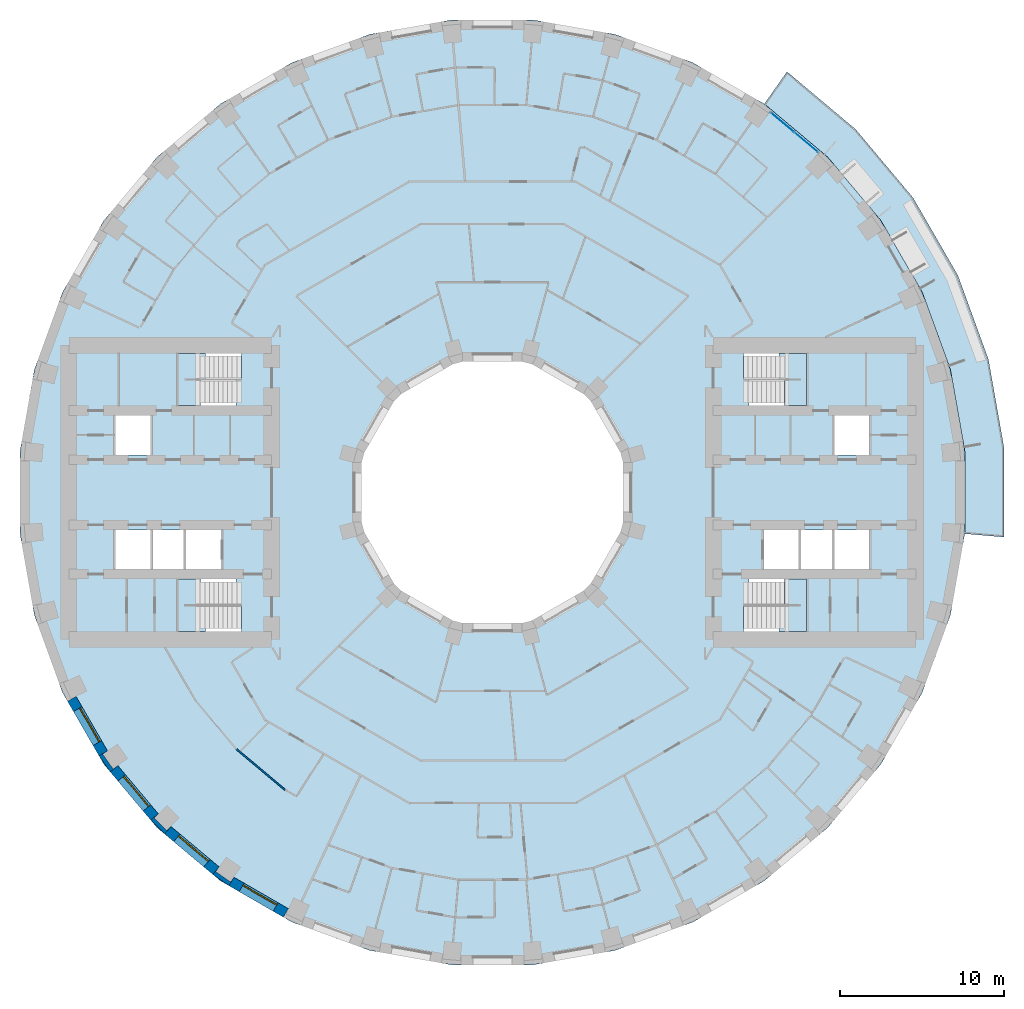
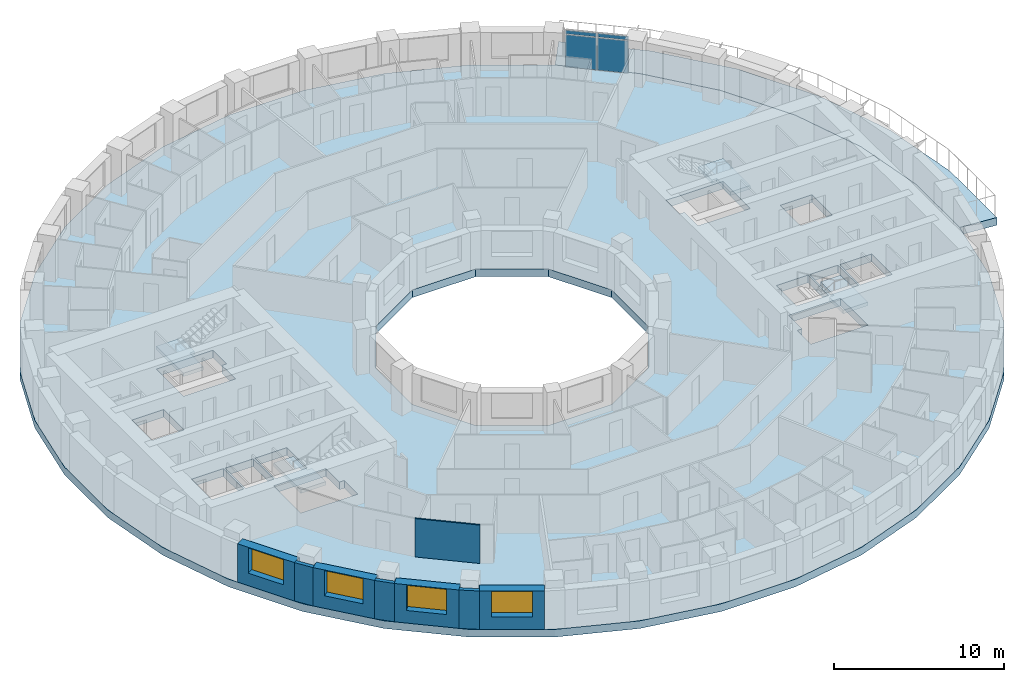
# One storey, part 3 of 15: 8 walls, 6 slabs, 4 plates, 4 windows, 4 openings, 5 elements without a shape of their own.
"""IFC4 building model written with IfcOpenShell, lengths in metres."""

from ifc_helpers import new_model, si_unit, direction, frame, frame_2d, origin, origin_2d, place, context, subcontext, project, spatial, polyline, rectangle, outline, extrude, material, layer, layer_set, type_object, element, fill, aggregate, save


model = new_model("IFC4")

# Units and contexts
model_context = context("Model", 3, precision=1e-05, world=origin(), true_north=direction((0.0, 1.0)))
body_context = subcontext(model_context, "Body", "Model", "MODEL_VIEW")
ifc_project = project(units=[si_unit("LENGTHUNIT", "METRE"), si_unit("AREAUNIT", "SQUARE_METRE"), si_unit("VOLUMEUNIT", "CUBIC_METRE"), si_unit("PLANEANGLEUNIT", "RADIAN"), si_unit("MASSUNIT", "GRAM", prefix="KILO")], contexts=[model_context])

# Site, building, storey
site_placement = place(None, origin())
site = spatial("IfcSite", under=ifc_project, at=site_placement, CompositionType="ELEMENT")
building_placement = place(site_placement, origin())
building = spatial("IfcBuilding", under=site, at=building_placement, Name="Saqina Gate Tower", CompositionType="ELEMENT")
storey_placement = place(building_placement, frame((0.0, 0.0, 59.300048828125)))
storey = spatial("IfcBuildingStorey", under=building, at=storey_placement, Name="L16", CompositionType="ELEMENT", Elevation=59.300048828125)

# Curtain wall, plates
ifc_material_1 = material(Name="Aluminium glazing", Category="aluminium")
ifc_layer_1 = layer(ifc_material_1, 0.159912109375)
ifc_layer_set_1 = layer_set([ifc_layer_1], Name="CWT-4")
curtain_wall_type = type_object("IfcCurtainWallType", Name="CWT-4", PredefinedType="NOTDEFINED", material=ifc_layer_set_1)
curtain_wall_placement = place(storey_placement, origin())
curtain_wall = element("IfcCurtainWall", 1, at=curtain_wall_placement, inside=storey, type_object=curtain_wall_type, Name="Terrace lounge glazing facet 5", PredefinedType="NOTDEFINED")
ifc_material_2 = material(Name="Glass", Category="glass")
ifc_layer_2 = layer(ifc_material_2, 0.028076171875)
ifc_layer_set_2 = layer_set([ifc_layer_2], Name="CWT-4P")
plate_type = type_object("IfcPlateType", Name="CWT-4P", PredefinedType="CURTAIN_PANEL", material=ifc_layer_set_2)
plate_1_placement = place(storey_placement, frame((19.198486328125, 21.407470703125, 0.059814453125), z_axis=(0.0, 0.0, 1.0), x_axis=(-0.766040784332, 0.642791970033, 0.0)))
plate_1 = element("IfcPlate", 2, at=plate_1_placement, type_object=plate_type, Name="CW4-05 panel 1.1", PredefinedType="CURTAIN_PANEL", context=body_context, shape_type="SweptSolid", body=[
    extrude(rectangle(XDim=1.8330078125, YDim=0.028076171875, at=origin_2d()), origin(), (0.0, 0.0, 1.0), 2.31005859375),
])
plate_2_placement = place(storey_placement, frame((19.198486328125, 21.407470703125, 2.43017578125), z_axis=(0.0, 0.0, 1.0), x_axis=(-0.766040784332, 0.642791970033, 0.0)))
plate_2 = element("IfcPlate", 3, at=plate_2_placement, type_object=plate_type, Name="CW4-05 panel 1.2", PredefinedType="CURTAIN_PANEL", context=body_context, shape_type="SweptSolid", body=[
    extrude(rectangle(XDim=1.8330078125, YDim=0.028076171875, at=origin_2d()), origin(), (0.0, 0.0, 1.0), 0.260009765625),
])
plate_3_placement = place(storey_placement, frame((17.74853515625, 22.624267578125, 0.059814453125), z_axis=(0.0, 0.0, 1.0), x_axis=(-0.766040784332, 0.642791970033, 0.0)))
plate_3 = element("IfcPlate", 4, at=plate_3_placement, type_object=plate_type, Name="CW4-05 panel 2.1", PredefinedType="CURTAIN_PANEL", context=body_context, shape_type="SweptSolid", body=[
    extrude(rectangle(XDim=1.8330078125, YDim=0.028076171875, at=origin_2d()), origin(), (0.0, 0.0, 1.0), 2.31005859375),
])
plate_4_placement = place(storey_placement, frame((17.74853515625, 22.624267578125, 2.43017578125), z_axis=(0.0, 0.0, 1.0), x_axis=(-0.766040784332, 0.642791970033, 0.0)))
plate_4 = element("IfcPlate", 5, at=plate_4_placement, type_object=plate_type, Name="CW4-05 panel 2.2", PredefinedType="CURTAIN_PANEL", context=body_context, shape_type="SweptSolid", body=[
    extrude(rectangle(XDim=1.8330078125, YDim=0.028076171875, at=origin_2d()), origin(), (0.0, 0.0, 1.0), 0.260009765625),
])
aggregate(curtain_wall, [plate_1, plate_2, plate_3, plate_4])

# Stair, slab
ifc_material_3 = material(Name="Concrete C40/50", Category="concrete")
stair_type = type_object("IfcStairType", Name="EXIT STAIR", PredefinedType="HALF_TURN_STAIR", material=ifc_material_3)
stair_1_placement = place(storey_placement, origin())
stair_1 = element("IfcStair", 6, at=stair_1_placement, inside=storey, type_object=stair_type, Name="EXIT STAIR 1", PredefinedType="HALF_TURN_STAIR")
ifc_material_4 = material(Name="Concrete C40/50", Category="concrete")
ifc_layer_3 = layer(ifc_material_4, 0.25)
ifc_layer_set_3 = layer_set([ifc_layer_3], Name="Concrete C40/50")
slab_type_1 = type_object("IfcSlabType", Name="EXIT STAIR LANDING", PredefinedType="LANDING", material=ifc_layer_set_3)
slab_1_placement = place(storey_placement, frame((0.0, 0.0, 1.39990234375)))
slab_1 = element("IfcSlab", 7, at=slab_1_placement, type_object=slab_type_1, Name="EXIT STAIR 1 LANDING 1", PredefinedType="LANDING", context=body_context, shape_type="SweptSolid", body=[
    extrude(outline(polyline([(19.219970703125, 8.5), (19.219970703125, 5.300048828125), (17.864990234375, 5.300048828125), (17.864990234375, 6.89990234375), (17.534423828125, 6.89990234375), (17.534423828125, 8.5), (17.864990234375, 8.5), (17.8701171875, 8.5), (19.219970703125, 8.5)])), origin(), (0.0, 0.0, 1.0), 0.25),
])
aggregate(stair_1, [slab_1])

stair_2_placement = place(storey_placement, origin())
stair_2 = element("IfcStair", 8, at=stair_2_placement, inside=storey, type_object=stair_type, Name="EXIT STAIR 2", PredefinedType="HALF_TURN_STAIR")
slab_2_placement = place(storey_placement, frame((0.0, 0.0, 1.39990234375)))
slab_2 = element("IfcSlab", 9, at=slab_2_placement, type_object=slab_type_1, Name="EXIT STAIR 2 LANDING 1", PredefinedType="LANDING", context=body_context, shape_type="SweptSolid", body=[
    extrude(outline(polyline([(17.534423828125, -8.5), (17.534423828125, -6.89990234375), (17.864990234375, -6.89990234375), (17.864990234375, -5.300048828125), (19.219970703125, -5.300048828125), (19.219970703125, -8.5), (17.8701171875, -8.5), (17.864990234375, -8.5), (17.534423828125, -8.5)])), origin(), (0.0, 0.0, 1.0), 0.25),
])
aggregate(stair_2, [slab_2])

stair_3_placement = place(storey_placement, origin())
stair_3 = element("IfcStair", 10, at=stair_3_placement, inside=storey, type_object=stair_type, Name="EXIT STAIR 3", PredefinedType="HALF_TURN_STAIR")
slab_3_placement = place(storey_placement, frame((0.0, 0.0, 1.39990234375)))
slab_3 = element("IfcSlab", 11, at=slab_3_placement, type_object=slab_type_1, Name="EXIT STAIR 3 LANDING 1", PredefinedType="LANDING", context=body_context, shape_type="SweptSolid", body=[
    extrude(outline(polyline([(-17.864990234375, 5.300048828125), (-19.219970703125, 5.300048828125), (-19.219970703125, 8.5), (-17.8701171875, 8.5), (-17.864990234375, 8.5), (-17.534423828125, 8.5), (-17.534423828125, 6.89990234375), (-17.864990234375, 6.89990234375), (-17.864990234375, 5.300048828125)])), origin(), (0.0, 0.0, 1.0), 0.25),
])
aggregate(stair_3, [slab_3])

stair_4_placement = place(storey_placement, origin())
stair_4 = element("IfcStair", 12, at=stair_4_placement, inside=storey, type_object=stair_type, Name="EXIT STAIR 4", PredefinedType="HALF_TURN_STAIR")
slab_4_placement = place(storey_placement, frame((0.0, 0.0, 1.39990234375)))
slab_4 = element("IfcSlab", 13, at=slab_4_placement, type_object=slab_type_1, Name="EXIT STAIR 4 LANDING 1", PredefinedType="LANDING", context=body_context, shape_type="SweptSolid", body=[
    extrude(outline(polyline([(-17.534423828125, -6.89990234375), (-17.534423828125, -8.5), (-17.864990234375, -8.5), (-17.8701171875, -8.5), (-19.219970703125, -8.5), (-19.219970703125, -5.300048828125), (-17.864990234375, -5.300048828125), (-17.864990234375, -6.89990234375), (-17.534423828125, -6.89990234375)])), origin(), (0.0, 0.0, 1.0), 0.25),
])
aggregate(stair_4, [slab_4])

# Slabs
ifc_material_5 = material(Name="Concrete C40/50", Category="concrete")
ifc_layer_4 = layer(ifc_material_5, 0.550048828125)
ifc_layer_set_4 = layer_set([ifc_layer_4], Name="Concrete C40/50")
slab_type_2 = type_object("IfcSlabType", Name="STR-POST-TENSIONED FLAT PLATE FLOOR-550", PredefinedType="FLOOR", material=ifc_layer_set_4)
slab_5_placement = place(storey_placement, frame((0.0, 0.0, -0.550048828125)))
element("IfcSlab", 14, at=slab_5_placement, inside=storey, type_object=slab_type_2, Name="L16-SLB01", PredefinedType="FLOOR", context=body_context, shape_type="SweptSolid", body=[
    extrude(outline(polyline([(28.011962890625, -7.505859375), (28.8896484375, -2.527587890625), (28.8896484375, 2.527587890625), (28.011962890625, 7.505859375), (26.282958984375, 12.255859375), (23.75537109375, 16.6337890625), (20.506103515625, 20.506103515625), (16.6337890625, 23.75537109375), (12.255859375, 26.282958984375), (7.505859375, 28.011962890625), (2.527587890625, 28.8896484375), (-2.527587890625, 28.8896484375), (-7.505859375, 28.011962890625), (-12.255859375, 26.282958984375), (-16.6337890625, 23.75537109375), (-20.506103515625, 20.506103515625), (-23.75537109375, 16.6337890625), (-26.282958984375, 12.255859375), (-28.011962890625, 7.505859375), (-28.8896484375, 2.527587890625), (-28.8896484375, -2.527587890625), (-28.011962890625, -7.505859375), (-26.282958984375, -12.255859375), (-23.75537109375, -16.6337890625), (-20.506103515625, -20.506103515625), (-16.6337890625, -23.75537109375), (-12.255859375, -26.282958984375), (-7.505859375, -28.011962890625), (-2.527587890625, -28.8896484375), (2.527587890625, -28.8896484375), (7.505859375, -28.011962890625), (12.255859375, -26.282958984375), (16.6337890625, -23.75537109375), (20.506103515625, -20.506103515625), (23.75537109375, -16.6337890625), (26.282958984375, -12.255859375), (28.011962890625, -7.505859375)]), holes=[polyline([(2.1435546875, 8.0), (5.8564453125, 5.8564453125), (8.0, 2.1435546875), (8.0, -2.1435546875), (5.8564453125, -5.8564453125), (2.1435546875, -8.0), (-2.1435546875, -8.0), (-5.8564453125, -5.8564453125), (-8.0, -2.1435546875), (-8.0, 2.1435546875), (-5.8564453125, 5.8564453125), (-2.1435546875, 8.0), (2.1435546875, 8.0)]), polyline([(-19.219970703125, -8.5), (-19.219970703125, -6.89990234375), (-19.219970703125, -5.300048828125), (-15.685546875, -5.300048828125), (-15.685546875, -6.89990234375), (-15.35498046875, -6.89990234375), (-15.35498046875, -8.5), (-19.219970703125, -8.5)]), polyline([(-20.89990234375, -2.300048828125), (-20.89990234375, -4.699951171875), (-23.06005859375, -4.699951171875), (-23.06005859375, -2.300048828125), (-20.89990234375, -2.300048828125)]), polyline([(-18.8701171875, -2.300048828125), (-18.8701171875, -4.699951171875), (-20.780029296875, -4.699951171875), (-20.780029296875, -2.300048828125), (-18.8701171875, -2.300048828125)]), polyline([(-16.590087890625, -2.300048828125), (-16.590087890625, -4.699951171875), (-18.75, -4.699951171875), (-18.75, -2.300048828125), (-16.590087890625, -2.300048828125)]), polyline([(-20.89990234375, 4.699951171875), (-20.89990234375, 2.300048828125), (-23.06005859375, 2.300048828125), (-23.06005859375, 4.699951171875), (-20.89990234375, 4.699951171875)]), polyline([(-19.219970703125, 6.89990234375), (-19.219970703125, 8.5), (-15.35498046875, 8.5), (-15.35498046875, 6.89990234375), (-15.685546875, 6.89990234375), (-15.685546875, 5.300048828125), (-19.219970703125, 5.300048828125), (-19.219970703125, 6.89990234375)]), polyline([(15.35498046875, -6.89990234375), (15.685546875, -6.89990234375), (15.685546875, -5.300048828125), (19.219970703125, -5.300048828125), (19.219970703125, -6.89990234375), (19.219970703125, -8.5), (15.35498046875, -8.5), (15.35498046875, -6.89990234375)]), polyline([(18.75, -2.300048828125), (18.75, -4.699951171875), (16.590087890625, -4.699951171875), (16.590087890625, -2.300048828125), (18.75, -2.300048828125)]), polyline([(20.780029296875, -2.300048828125), (20.780029296875, -4.699951171875), (18.8701171875, -4.699951171875), (18.8701171875, -2.300048828125), (20.780029296875, -2.300048828125)]), polyline([(23.06005859375, -2.300048828125), (23.06005859375, -4.699951171875), (20.89990234375, -4.699951171875), (20.89990234375, -2.300048828125), (23.06005859375, -2.300048828125)]), polyline([(23.06005859375, 4.699951171875), (23.06005859375, 2.300048828125), (20.89990234375, 2.300048828125), (20.89990234375, 4.699951171875), (23.06005859375, 4.699951171875)]), polyline([(15.685546875, 6.89990234375), (15.35498046875, 6.89990234375), (15.35498046875, 8.5), (19.219970703125, 8.5), (19.219970703125, 6.89990234375), (19.219970703125, 5.300048828125), (15.685546875, 5.300048828125), (15.685546875, 6.89990234375)])]), origin(), (0.0, 0.0, 1.0), 0.550048828125),
])
ifc_material_6 = material(Name="Concrete C40/50", Category="concrete")
ifc_layer_5 = layer(ifc_material_6, 0.550048828125)
ifc_layer_set_5 = layer_set([ifc_layer_5], Name="Concrete C40/50")
slab_type_3 = type_object("IfcSlabType", Name="STR-POST-TENSIONED FLAT PLATE TERRACE-550", PredefinedType="FLOOR", material=ifc_layer_set_5)
slab_6_placement = place(storey_placement, frame((0.0, 0.0, -0.550048828125)))
element("IfcSlab", 15, at=slab_6_placement, inside=storey, type_object=slab_type_3, Name="L16-TRS01", PredefinedType="FLOOR", context=body_context, shape_type="SweptSolid", body=[
    extrude(outline(polyline([(28.8896484375, -2.527587890625), (28.8896484375, 2.527587890625), (28.011962890625, 7.505859375), (26.282958984375, 12.255859375), (23.75537109375, 16.6337890625), (20.506103515625, 20.506103515625), (16.6337890625, 23.75537109375), (18.015625, 25.72900390625), (22.209716796875, 22.209716796875), (25.72900390625, 18.015625), (28.46630859375, 13.274169921875), (30.3388671875, 8.12939453125), (31.28955078125, 2.737548828125), (31.28955078125, -2.737548828125), (28.8896484375, -2.527587890625)])), origin(), (0.0, 0.0, 1.0), 0.550048828125),
])

# Walls
ifc_material_7 = material(Name="Brick masonry (red)", Category="masonry")
wall_type_1 = type_object("IfcWallType", Name="BRICK PIER COPING RED", PredefinedType="SOLIDWALL", material=ifc_material_7)
wall_1_placement = place(storey_placement, origin())
element("IfcWall", 16, at=wall_1_placement, inside=storey, type_object=wall_type_1, Name="Pier cap L16 column 22", PredefinedType="SOLIDWALL", context=body_context, shape_type="SweptSolid", body=[
    extrude(outline(polyline([(-24.0576171875, -16.110107421875), (-23.36669921875, -17.096923828125), (-22.9072265625, -16.711181640625), (-23.194091796875, -16.912109375), (-23.8251953125, -16.010986328125), (-23.5380859375, -15.81005859375), (-24.0576171875, -16.110107421875)])), origin(), (0.0, 0.0, 1.0), 2.75),
])
wall_2_placement = place(storey_placement, origin())
element("IfcWall", 17, at=wall_2_placement, inside=storey, type_object=wall_type_1, Name="Pier cap L16 column 23", PredefinedType="SOLIDWALL", context=body_context, shape_type="SweptSolid", body=[
    extrude(outline(polyline([(-20.04296875, -20.894775390625), (-19.6572265625, -20.43505859375), (-19.905029296875, -20.682861328125), (-20.682861328125, -19.905029296875), (-20.43505859375, -19.6572265625), (-20.894775390625, -20.04296875), (-20.04296875, -20.894775390625)])), origin(), (0.0, 0.0, 1.0), 2.75),
])
wall_3_placement = place(storey_placement, origin())
element("IfcWall", 18, at=wall_3_placement, inside=storey, type_object=wall_type_1, Name="Pier cap L16 column 24", PredefinedType="SOLIDWALL", context=body_context, shape_type="SweptSolid", body=[
    extrude(outline(polyline([(-17.096923828125, -23.36669921875), (-16.110107421875, -24.0576171875), (-15.81005859375, -23.5380859375), (-16.010986328125, -23.8251953125), (-16.912109375, -23.194091796875), (-16.711181640625, -22.9072265625), (-17.096923828125, -23.36669921875)])), origin(), (0.0, 0.0, 1.0), 2.75),
])

# Wall, opening, window
ifc_material_8 = material(Name="Brick masonry (red)", Category="masonry")
ifc_layer_6 = layer(ifc_material_8, 0.60009765625)
ifc_layer_set_6 = layer_set([ifc_layer_6], Name="FW-BRICK-RED")
wall_type_2 = type_object("IfcWallType", Name="FW-BRICK-RED", PredefinedType="SOLIDWALL", material=ifc_layer_set_6)
wall_4_placement = place(storey_placement, frame((-25.720703125, -12.629638671875, 0.0), z_axis=(0.0, 0.0, 1.0), x_axis=(0.499989888488, -0.86603124159, 0.0)))
wall_4 = element("IfcWall", 19, at=wall_4_placement, inside=storey, type_object=wall_type_2, Name="Facade wall L16 facet 21", PredefinedType="SOLIDWALL", context=body_context, shape_type="SweptSolid", body=[
    extrude(rectangle(XDim=3.845703125, YDim=0.60009765625, at=frame_2d((1.9228515625, 0.0))), origin(), (0.0, 0.0, 1.0), 2.75),
])
opening_1_placement = place(wall_4_placement, frame((0.722900390625, 0.0, 0.89990234375)))
opening_1 = element("IfcOpeningElement", 20, at=opening_1_placement, cuts=wall_4, Name="Opening G04-W11", PredefinedType="OPENING", context=body_context, shape_type="SweptSolid", body=[
    extrude(rectangle(XDim=2.39990234375, YDim=1.800048828125, at=frame_2d((1.199951171875, 0.89990234375))), frame((0.0, 0.31201171875, 0.0), z_axis=(0.0, -1.0, 0.0), x_axis=(1.0, 0.0, 0.0)), (0.0, 0.0, 1.0), 0.6240234375),
])
ifc_material_9 = material(Name="Aluminium glazing", Category="aluminium")
window_type = type_object("IfcWindowType", Name="WN-A", PartitioningType="SINGLE_PANEL", PredefinedType="WINDOW", material=ifc_material_9)
window_1_placement = place(opening_1_placement, origin())
window_1 = element("IfcWindow", 21, at=window_1_placement, inside=storey, type_object=window_type, Name="Window L16 facet 21", OverallHeight=1.800048828125, OverallWidth=2.39990234375, PartitioningType="SINGLE_PANEL", PredefinedType="WINDOW", context=body_context, shape_type="SweptSolid", body=[
    extrude(rectangle(XDim=2.39990234375, YDim=1.800048828125, at=frame_2d((1.199951171875, 0.89990234375))), frame((0.0, 0.179931640625, 0.0), z_axis=(0.0, -1.0, 0.0), x_axis=(1.0, 0.0, 0.0)), (0.0, 0.0, 1.0), 0.06005859375),
])
fill(opening_1, window_1)

wall_5_placement = place(storey_placement, frame((-23.136962890625, -16.904052734375, 0.0), z_axis=(0.0, 0.0, 1.0), x_axis=(0.642809392687, -0.766026164483, 0.0)))
wall_5 = element("IfcWall", 22, at=wall_5_placement, inside=storey, type_object=wall_type_2, Name="Facade wall L16 facet 22", PredefinedType="SOLIDWALL", context=body_context, shape_type="SweptSolid", body=[
    extrude(rectangle(XDim=3.845947265625, YDim=0.60009765625, at=frame_2d((1.9228515625, 0.0))), origin(), (0.0, 0.0, 1.0), 2.75),
])
opening_2_placement = place(wall_5_placement, frame((0.722900390625, 0.0, 0.89990234375)))
opening_2 = element("IfcOpeningElement", 23, at=opening_2_placement, cuts=wall_5, Name="Opening G04-W12", PredefinedType="OPENING", context=body_context, shape_type="SweptSolid", body=[
    extrude(rectangle(XDim=2.39990234375, YDim=1.800048828125, at=frame_2d((1.199951171875, 0.89990234375))), frame((0.0, 0.31201171875, 0.0), z_axis=(0.0, -1.0, 0.0), x_axis=(1.0, 0.0, 0.0)), (0.0, 0.0, 1.0), 0.6240234375),
])
window_2_placement = place(opening_2_placement, origin())
window_2 = element("IfcWindow", 24, at=window_2_placement, inside=storey, type_object=window_type, Name="Window L16 facet 22", OverallHeight=1.800048828125, OverallWidth=2.39990234375, PartitioningType="SINGLE_PANEL", PredefinedType="WINDOW", context=body_context, shape_type="SweptSolid", body=[
    extrude(rectangle(XDim=2.39990234375, YDim=1.800048828125, at=frame_2d((1.199951171875, 0.89990234375))), frame((0.0, 0.179931640625, 0.0), z_axis=(0.0, -1.0, 0.0), x_axis=(1.0, 0.0, 0.0)), (0.0, 0.0, 1.0), 0.06005859375),
])
fill(opening_2, window_2)

wall_6_placement = place(storey_placement, frame((-19.85009765625, -20.664794921875, 0.0), z_axis=(0.0, 0.0, 1.0), x_axis=(0.766026164483, -0.642809392687, 0.0)))
wall_6 = element("IfcWall", 25, at=wall_6_placement, inside=storey, type_object=wall_type_2, Name="Facade wall L16 facet 23", PredefinedType="SOLIDWALL", context=body_context, shape_type="SweptSolid", body=[
    extrude(rectangle(XDim=3.845947265625, YDim=0.60009765625, at=frame_2d((1.9228515625, 0.0))), origin(), (0.0, 0.0, 1.0), 2.75),
])
opening_3_placement = place(wall_6_placement, frame((0.722900390625, 0.0, 0.89990234375)))
opening_3 = element("IfcOpeningElement", 26, at=opening_3_placement, cuts=wall_6, Name="Opening G04-W13", PredefinedType="OPENING", context=body_context, shape_type="SweptSolid", body=[
    extrude(rectangle(XDim=2.39990234375, YDim=1.800048828125, at=frame_2d((1.199951171875, 0.89990234375))), frame((0.0, 0.31201171875, 0.0), z_axis=(0.0, -1.0, 0.0), x_axis=(1.0, 0.0, 0.0)), (0.0, 0.0, 1.0), 0.6240234375),
])
window_3_placement = place(opening_3_placement, origin())
window_3 = element("IfcWindow", 27, at=window_3_placement, inside=storey, type_object=window_type, Name="Window L16 facet 23", OverallHeight=1.800048828125, OverallWidth=2.39990234375, PartitioningType="SINGLE_PANEL", PredefinedType="WINDOW", context=body_context, shape_type="SweptSolid", body=[
    extrude(rectangle(XDim=2.39990234375, YDim=1.800048828125, at=frame_2d((1.199951171875, 0.89990234375))), frame((0.0, 0.179931640625, 0.0), z_axis=(0.0, -1.0, 0.0), x_axis=(1.0, 0.0, 0.0)), (0.0, 0.0, 1.0), 0.06005859375),
])
fill(opening_3, window_3)

wall_7_placement = place(storey_placement, frame((-15.960205078125, -23.7978515625, 0.0), z_axis=(0.0, 0.0, 1.0), x_axis=(0.86603124159, -0.499989888488, 0.0)))
wall_7 = element("IfcWall", 28, at=wall_7_placement, inside=storey, type_object=wall_type_2, Name="Facade wall L16 facet 24", PredefinedType="SOLIDWALL", context=body_context, shape_type="SweptSolid", body=[
    extrude(rectangle(XDim=3.845703125, YDim=0.60009765625, at=frame_2d((1.9228515625, 0.0))), origin(), (0.0, 0.0, 1.0), 2.75),
])
opening_4_placement = place(wall_7_placement, frame((0.722900390625, 0.0, 0.89990234375)))
opening_4 = element("IfcOpeningElement", 29, at=opening_4_placement, cuts=wall_7, Name="Opening G04-W14", PredefinedType="OPENING", context=body_context, shape_type="SweptSolid", body=[
    extrude(rectangle(XDim=2.39990234375, YDim=1.800048828125, at=frame_2d((1.199951171875, 0.89990234375))), frame((0.0, 0.31201171875, 0.0), z_axis=(0.0, -1.0, 0.0), x_axis=(1.0, 0.0, 0.0)), (0.0, 0.0, 1.0), 0.6240234375),
])
window_4_placement = place(opening_4_placement, origin())
window_4 = element("IfcWindow", 30, at=window_4_placement, inside=storey, type_object=window_type, Name="Window L16 facet 24", OverallHeight=1.800048828125, OverallWidth=2.39990234375, PartitioningType="SINGLE_PANEL", PredefinedType="WINDOW", context=body_context, shape_type="SweptSolid", body=[
    extrude(rectangle(XDim=2.39990234375, YDim=1.800048828125, at=frame_2d((1.199951171875, 0.89990234375))), frame((0.0, 0.179931640625, 0.0), z_axis=(0.0, -1.0, 0.0), x_axis=(1.0, 0.0, 0.0)), (0.0, 0.0, 1.0), 0.06005859375),
])
fill(opening_4, window_4)

# Wall
ifc_material_10 = material(Name="Gypsum board on steel studs, 100 mm", Category="steel")
ifc_layer_7 = layer(ifc_material_10, 0.10009765625)
ifc_layer_set_7 = layer_set([ifc_layer_7], Name="PARTITION 100")
wall_type_3 = type_object("IfcWallType", Name="PARTITION 100", PredefinedType="PARTITIONING", material=ifc_layer_set_7)
wall_8_placement = place(storey_placement, frame((-15.640625, -15.711181640625, 0.0), z_axis=(0.0, 0.0, 1.0), x_axis=(0.765990912009, -0.642851400185, 0.0)))
element("IfcWall", 31, at=wall_8_placement, inside=storey, type_object=wall_type_3, Name="PARTITION PW3-29", PredefinedType="PARTITIONING", context=body_context, shape_type="SweptSolid", body=[
    extrude(rectangle(XDim=3.8662109375, YDim=0.10009765625, at=frame_2d((1.93310546875, 0.0))), origin(), (0.0, 0.0, 1.0), 2.75),
])

save(model, "model.ifc")
